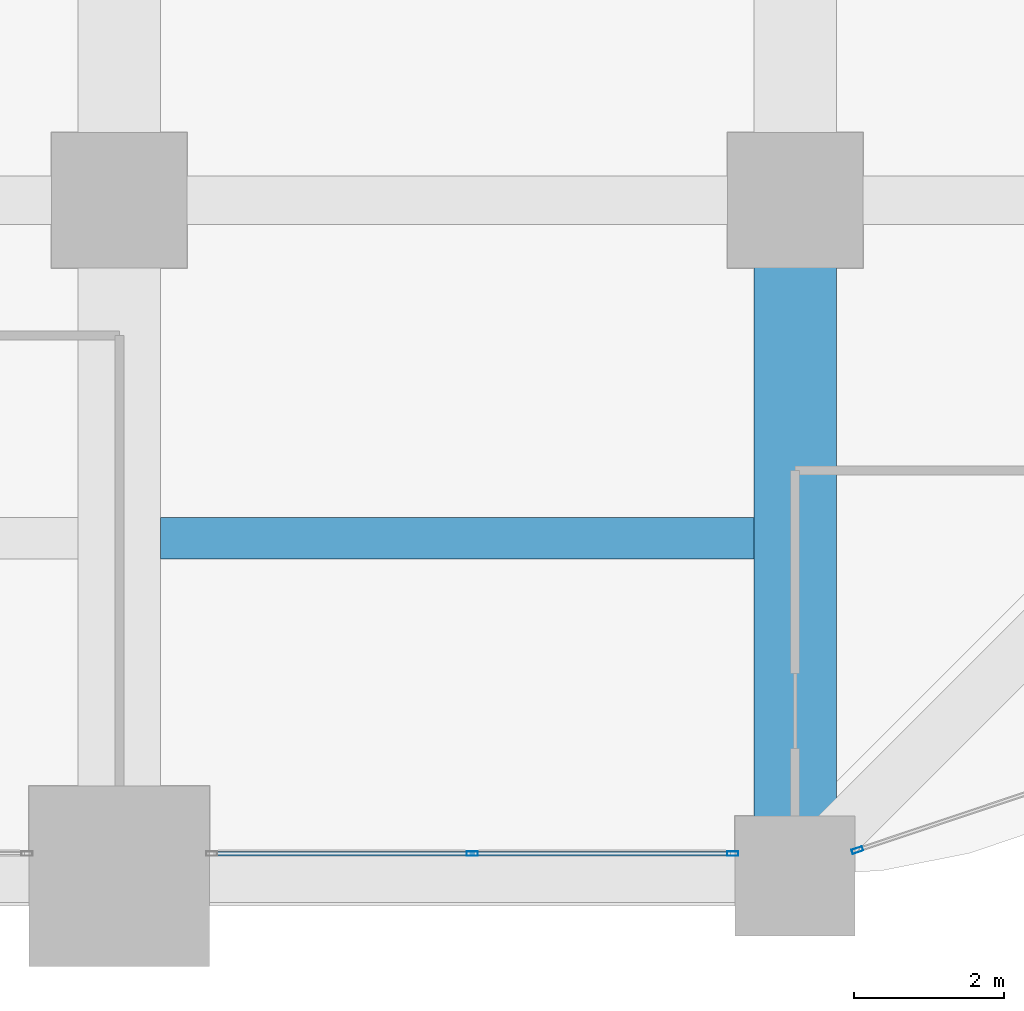
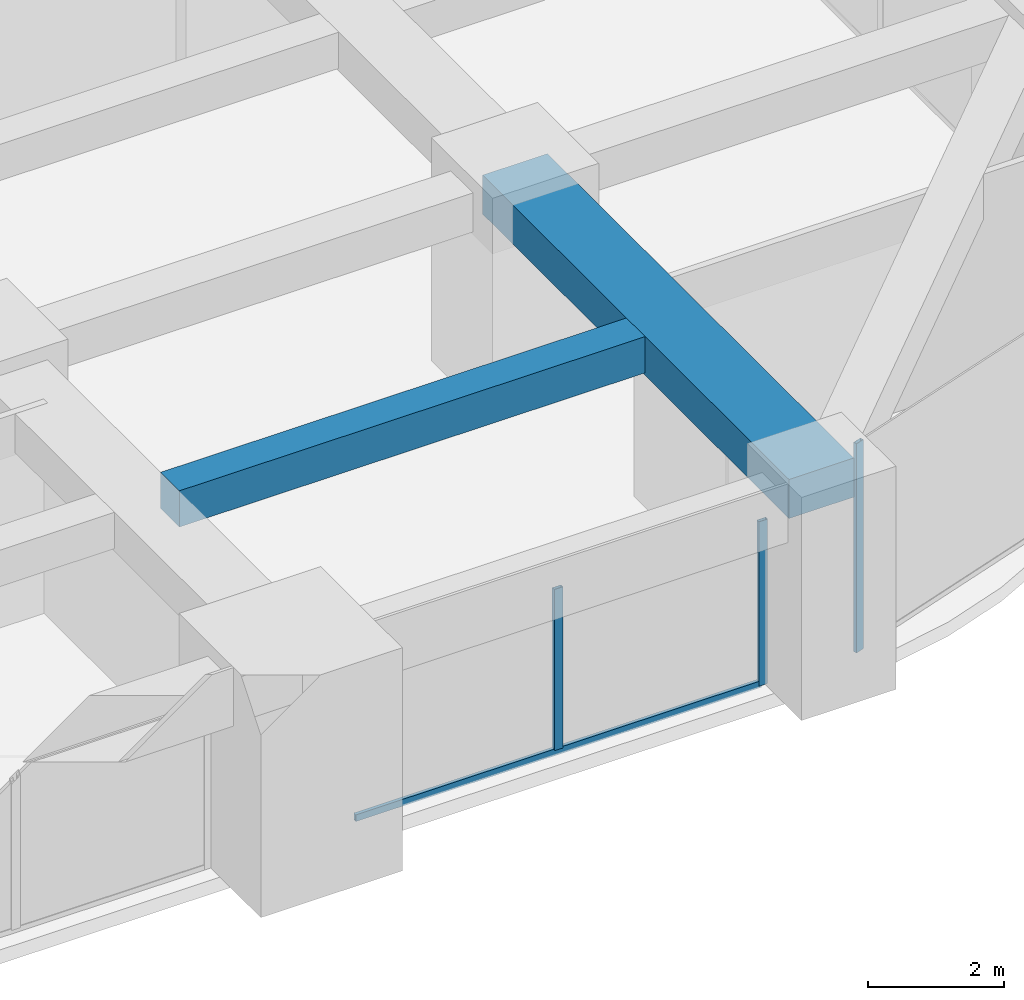
# One storey, part 16 of 39: 4 members, 2 beams, 2 elements without a shape of their own.
"""IFC4 building model written with IfcOpenShell, lengths in metres."""

from ifc_helpers import new_model, si_unit, direction, frame, origin, origin_2d, place, context, subcontext, project, spatial, rectangle, hollow_rectangle, extrude, material, material_profile, profile_set, type_object, element, aggregate, save


model = new_model("IFC4")

# Units and contexts
model_context = context("Model", 3, precision=1e-05, world=origin(), true_north=direction((0.0, 1.0)))
body_context = subcontext(model_context, "Body", "Model", "MODEL_VIEW")
ifc_project = project(units=[si_unit("LENGTHUNIT", "METRE"), si_unit("AREAUNIT", "SQUARE_METRE"), si_unit("VOLUMEUNIT", "CUBIC_METRE"), si_unit("PLANEANGLEUNIT", "RADIAN"), si_unit("MASSUNIT", "GRAM", prefix="KILO")], contexts=[model_context])

# Site, building, storey
site_placement = place(None, origin())
site = spatial("IfcSite", under=ifc_project, at=site_placement, CompositionType="ELEMENT")
building_placement = place(site_placement, origin())
building = spatial("IfcBuilding", under=site, at=building_placement, Name="Zorevar Civic Tower", CompositionType="ELEMENT")
storey_placement = place(building_placement, frame((0.0, 0.0, 125.0)))
storey = spatial("IfcBuildingStorey", under=building, at=storey_placement, Name="L30", CompositionType="ELEMENT", Elevation=125.0)

# Beams
ifc_material_1 = material(Name="Concrete C50/60", Category="concrete")
ifc_material_profile_1 = material_profile(ifc_material_1, rectangle(XDim=1.10009765625, YDim=0.699951171875, at=origin_2d()), Name="RC 1100x700")
ifc_profile_set_1 = profile_set([ifc_material_profile_1], Name="Concrete C50/60")
beam_type_1 = type_object("IfcBeamType", Name="Beam RC 1100x700", PredefinedType="BEAM", material=ifc_profile_set_1)
beam_1_placement = place(storey_placement, frame((54.0, 0.0, 3.39990234375), z_axis=(0.0, 1.0, 0.0), x_axis=(-1.0, 0.0, 0.0)))
element("IfcBeam", 1, at=beam_1_placement, inside=storey, type_object=beam_type_1, Name="Girder L31", PredefinedType="BEAM", context=body_context, shape_type="SweptSolid", body=[
    extrude(rectangle(XDim=1.10009765625, YDim=0.699951171875, at=origin_2d()), origin(), (0.0, 0.0, 1.0), 9.0),
])
ifc_material_2 = material(Name="Concrete C50/60", Category="concrete")
ifc_material_profile_2 = material_profile(ifc_material_2, rectangle(XDim=0.550048828125, YDim=0.64990234375, at=origin_2d()), Name="RC 550x650")
ifc_profile_set_2 = profile_set([ifc_material_profile_2], Name="Concrete C50/60")
beam_type_2 = type_object("IfcBeamType", Name="Beam RC 550x650", PredefinedType="BEAM", material=ifc_profile_set_2)
beam_2_placement = place(storey_placement, frame((45.550048828125, 4.5, 3.425048828125), z_axis=(1.0, 0.0, 0.0), x_axis=(0.0, 1.0, 0.0)))
element("IfcBeam", 2, at=beam_2_placement, inside=storey, type_object=beam_type_2, Name="Secondary beam L31", PredefinedType="BEAM", context=body_context, shape_type="SweptSolid", body=[
    extrude(rectangle(XDim=0.550048828125, YDim=0.64990234375, at=origin_2d()), origin(), (0.0, 0.0, 1.0), 7.89990234375),
])

# Curtain wall, members
ifc_material_3 = material(Name="Dark grey solar-control glass in black aluminium frame", Category="aluminium")
curtain_wall_type = type_object("IfcCurtainWallType", Name="Curtain wall CW3 mid zone", PredefinedType="NOTDEFINED", material=ifc_material_3)
curtain_wall_1_placement = place(storey_placement, origin())
curtain_wall_1 = element("IfcCurtainWall", 3, at=curtain_wall_1_placement, inside=storey, type_object=curtain_wall_type, Name="CW3 L30", PredefinedType="NOTDEFINED")
ifc_material_4 = material(Name="Aluminium, black anodised", Category="aluminium")
ifc_material_profile_3 = material_profile(ifc_material_4, hollow_rectangle(XDim=0.06005859375, YDim=0.14990234375, WallThickness=0.00390625, at=origin_2d()), Name="AL 150x60x4")
ifc_profile_set_3 = profile_set([ifc_material_profile_3], Name="Aluminium, black anodised")
member_type_1 = type_object("IfcMemberType", Name="CW3 mullion AL 150x60x4", PredefinedType="MULLION", material=ifc_profile_set_3)
member_1_placement = place(storey_placement, frame((49.699951171875, 0.300048828125, 0.06005859375), z_axis=(0.0, 0.0, 1.0), x_axis=(0.0, 1.0, 0.0)))
member_1 = element("IfcMember", 4, at=member_1_placement, type_object=member_type_1, Name="CW3 mullion 2", PredefinedType="MULLION", context=body_context, shape_type="SweptSolid", body=[
    extrude(hollow_rectangle(XDim=0.06005859375, YDim=0.14990234375, WallThickness=0.00390625, at=origin_2d()), origin(), (0.0, 0.0, 1.0), 2.889892578125),
])
member_2_placement = place(storey_placement, frame((53.169921875, 0.300048828125, 0.0), z_axis=(0.0, 0.0, 1.0), x_axis=(0.0, 1.0, 0.0)))
member_2 = element("IfcMember", 5, at=member_2_placement, type_object=member_type_1, Name="CW3 mullion 3", PredefinedType="MULLION", context=body_context, shape_type="SweptSolid", body=[
    extrude(hollow_rectangle(XDim=0.06005859375, YDim=0.14990234375, WallThickness=0.00390625, at=origin_2d()), origin(), (0.0, 0.0, 1.0), 2.949951171875),
])

# Curtain wall, member
curtain_wall_2_placement = place(storey_placement, origin())
curtain_wall_2 = element("IfcCurtainWall", 6, at=curtain_wall_2_placement, inside=storey, type_object=curtain_wall_type, Name="CW3 L30", PredefinedType="NOTDEFINED")
member_3_placement = place(storey_placement, frame((54.828369140625, 0.346435546875, 0.0), z_axis=(0.0, 0.0, 1.0), x_axis=(-0.317592669603, 0.948227238701, 0.0)))
member_3 = element("IfcMember", 7, at=member_3_placement, type_object=member_type_1, Name="CW3 mullion 1", PredefinedType="MULLION", context=body_context, shape_type="SweptSolid", body=[
    extrude(hollow_rectangle(XDim=0.06005859375, YDim=0.14990234375, WallThickness=0.00390625, at=origin_2d()), origin(), (0.0, 0.0, 1.0), 3.75),
])
aggregate(curtain_wall_2, [member_3])

# Member
ifc_material_5 = material(Name="Aluminium, black anodised", Category="aluminium")
ifc_material_profile_4 = material_profile(ifc_material_5, hollow_rectangle(XDim=0.06005859375, YDim=0.1201171875, WallThickness=0.0029296875, at=origin_2d()), Name="AL 120x60x3")
ifc_profile_set_4 = profile_set([ifc_material_profile_4], Name="Aluminium, black anodised")
member_type_2 = type_object("IfcMemberType", Name="CW3 transom AL 120x60x3", PredefinedType="USERDEFINED", material=ifc_profile_set_4)
member_4_placement = place(storey_placement, frame((46.260009765625, 0.300048828125, 0.030029296875), z_axis=(1.0, 0.0, 0.0), x_axis=(0.0, 1.0, 0.0)))
member_4 = element("IfcMember", 8, at=member_4_placement, type_object=member_type_2, Name="CW3 sill transom", ObjectType="TRANSOM", PredefinedType="USERDEFINED", context=body_context, shape_type="SweptSolid", body=[
    extrude(hollow_rectangle(XDim=0.06005859375, YDim=0.1201171875, WallThickness=0.0029296875, at=origin_2d()), origin(), (0.0, 0.0, 1.0), 6.8798828125),
])

aggregate(curtain_wall_1, [member_1, member_2, member_4])

save(model, "model.ifc")
